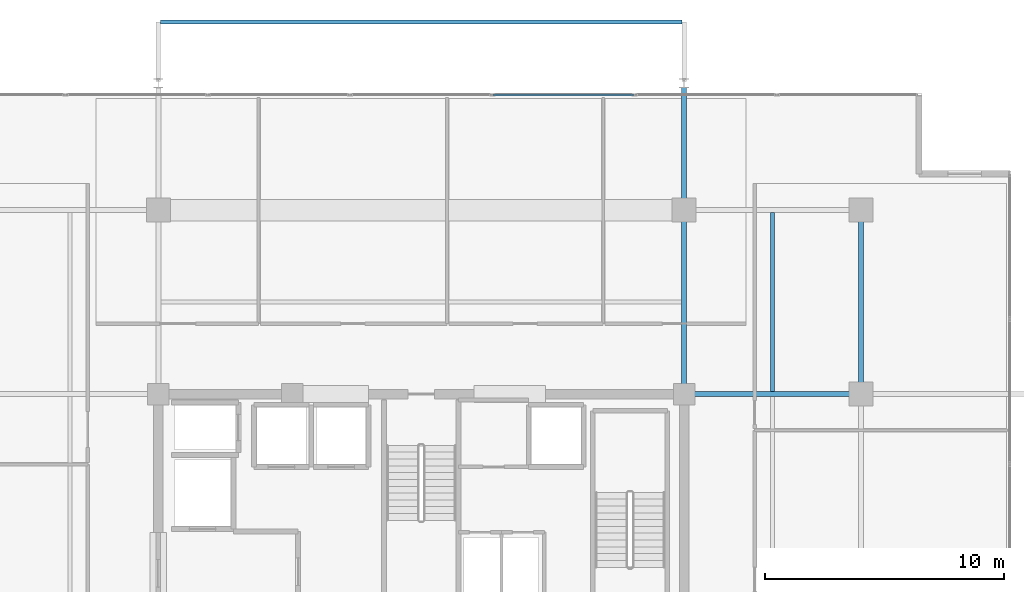
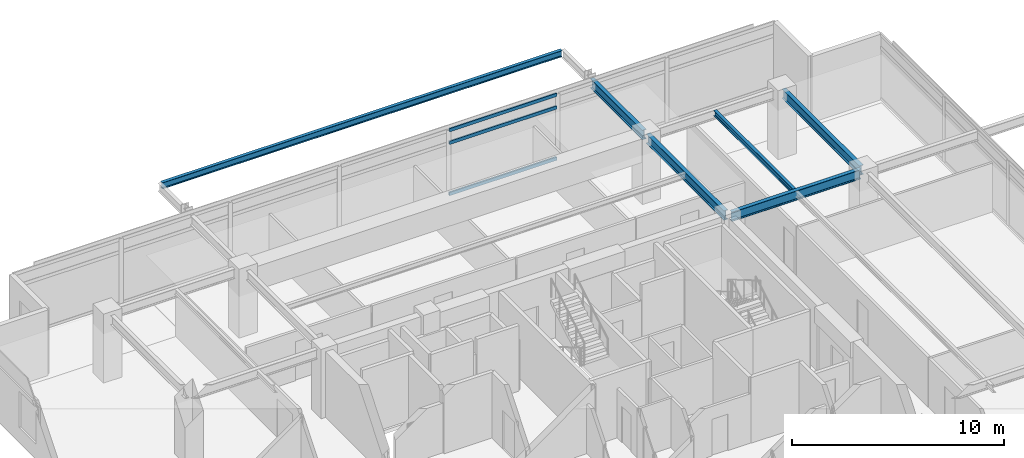
# One storey, part 10 of 21: 6 beams, 3 members, 1 element without a shape of its own.
"""IFC4 building model written with IfcOpenShell, lengths in metres."""

from ifc_helpers import new_model, si_unit, direction, frame, origin, origin_2d, place, context, subcontext, project, spatial, hollow_rectangle, i_section, extrude, material, material_profile, profile_set, type_object, element, aggregate, save


model = new_model("IFC4")

# Units and contexts
model_context = context("Model", 3, precision=1e-05, world=origin(), true_north=direction((0.0, 1.0)))
body_context = subcontext(model_context, "Body", "Model", "MODEL_VIEW")
ifc_project = project(units=[si_unit("LENGTHUNIT", "METRE"), si_unit("AREAUNIT", "SQUARE_METRE"), si_unit("VOLUMEUNIT", "CUBIC_METRE"), si_unit("PLANEANGLEUNIT", "RADIAN"), si_unit("MASSUNIT", "GRAM", prefix="KILO")], contexts=[model_context])

# Site, building, storey
site_placement = place(None, origin())
site = spatial("IfcSite", under=ifc_project, at=site_placement, CompositionType="ELEMENT")
building_placement = place(site_placement, origin())
building = spatial("IfcBuilding", under=site, at=building_placement, Name="Kovane Verandah Tower", CompositionType="ELEMENT")
storey_placement = place(building_placement, frame((0.0, 0.0, 314.800048828125)))
storey = spatial("IfcBuildingStorey", under=building, at=storey_placement, Name="L73", CompositionType="ELEMENT", Elevation=314.800048828125)

# Beams
ifc_material_1 = material(Name="Steel S355", Category="steel")
ifc_material_profile_1 = material_profile(ifc_material_1, i_section(OverallWidth=0.2119140625, OverallDepth=0.54443359375, WebThickness=0.0126953125, FlangeThickness=0.021240234375, FilletRadius=0.0126953125, at=origin_2d()), Name="UB533x210x122")
ifc_profile_set_1 = profile_set([ifc_material_profile_1], Name="Steel S355")
beam_type_1 = type_object("IfcBeamType", Name="BM-UB533x122", PredefinedType="BEAM", material=ifc_profile_set_1)
beam_1_placement = place(storey_placement, frame((58.39990234375, 36.679931640625, 3.5126953125), z_axis=(0.0, 1.0, 0.0), x_axis=(-1.0, 0.0, 0.0)))
element("IfcBeam", 1, at=beam_1_placement, inside=storey, type_object=beam_type_1, Name="L73 Primary Tower Girder G-RE3", PredefinedType="BEAM", context=body_context, shape_type="SweptSolid", body=[
    extrude(i_section(OverallWidth=0.2119140625, OverallDepth=0.54443359375, WebThickness=0.0126953125, FlangeThickness=0.021240234375, FilletRadius=0.0126953125, at=origin_2d()), origin(), (0.0, 0.0, 1.0), 7.340087890625),
])
beam_2_placement = place(storey_placement, frame((51.179931640625, 36.5, 3.5126953125), z_axis=(1.0, 0.0, 0.0), x_axis=(0.0, 1.0, 0.0)))
element("IfcBeam", 2, at=beam_2_placement, inside=storey, type_object=beam_type_1, Name="L73 Primary Tower Girder G-E2", PredefinedType="BEAM", context=body_context, shape_type="SweptSolid", body=[
    extrude(i_section(OverallWidth=0.2119140625, OverallDepth=0.54443359375, WebThickness=0.0126953125, FlangeThickness=0.021240234375, FilletRadius=0.0126953125, at=origin_2d()), origin(), (0.0, 0.0, 1.0), 7.0400390625),
])
beam_3_placement = place(storey_placement, frame((51.0, 36.679931640625, 3.5126953125), z_axis=(0.0, 1.0, 0.0), x_axis=(-1.0, 0.0, 0.0)))
element("IfcBeam", 3, at=beam_3_placement, inside=storey, type_object=beam_type_1, Name="L73 Primary Tower Girder G-N2", PredefinedType="BEAM", context=body_context, shape_type="SweptSolid", body=[
    extrude(i_section(OverallWidth=0.2119140625, OverallDepth=0.54443359375, WebThickness=0.0126953125, FlangeThickness=0.021240234375, FilletRadius=0.0126953125, at=origin_2d()), origin(), (0.0, 0.0, 1.0), 7.340087890625),
])
beam_4_placement = place(storey_placement, frame((51.0, 44.3798828125, 3.48779296875), z_axis=(0.0, 1.0, 0.0), x_axis=(-1.0, 0.0, 0.0)))
element("IfcBeam", 4, at=beam_4_placement, inside=storey, type_object=beam_type_1, Name="L73 Primary Tower Girder G-VN2", PredefinedType="BEAM", context=body_context, shape_type="SweptSolid", body=[
    extrude(i_section(OverallWidth=0.2119140625, OverallDepth=0.54443359375, WebThickness=0.0126953125, FlangeThickness=0.021240234375, FilletRadius=0.0126953125, at=origin_2d()), origin(), (0.0, 0.0, 1.0), 4.940185546875),
])

# Curtain wall, members
ifc_material_2 = material(Name="Champagne Anodised Aluminium Frame with Low-E Clear Laminated Glass", Category="aluminium")
curtain_wall_type = type_object("IfcCurtainWallType", Name="CW-SYS-05-HIGH", PredefinedType="NOTDEFINED", material=ifc_material_2)
curtain_wall_placement = place(storey_placement, origin())
curtain_wall = element("IfcCurtainWall", 5, at=curtain_wall_placement, inside=storey, type_object=curtain_wall_type, Name="L73 N Unitised Curtain Wall", PredefinedType="NOTDEFINED")
ifc_material_3 = material(Name="Champagne Anodised Aluminium 6063-T6", Category="aluminium")
ifc_material_profile_2 = material_profile(ifc_material_3, hollow_rectangle(XDim=0.0849609375, YDim=0.18994140625, WallThickness=0.00390625, at=origin_2d()), Name="AL85x190x4")
ifc_profile_set_2 = profile_set([ifc_material_profile_2], Name="Champagne Anodised Aluminium 6063-T6")
member_type = type_object("IfcMemberType", Name="CW-TRN-85x190", PredefinedType="USERDEFINED", material=ifc_profile_set_2)
member_1_placement = place(storey_placement, frame((48.8798828125, 49.018310546875, 0.050048828125), z_axis=(-1.0, 0.0, 0.0), x_axis=(0.0, -1.0, 0.0)))
member_1 = element("IfcMember", 6, at=member_1_placement, type_object=member_type, Name="L73 N Unitised Curtain Wall Transom TB Bay 3", ObjectType="TRANSOM", PredefinedType="USERDEFINED", context=body_context, shape_type="SweptSolid", body=[
    extrude(hollow_rectangle(XDim=0.0849609375, YDim=0.18994140625, WallThickness=0.00390625, at=origin_2d()), origin(), (0.0, 0.0, 1.0), 5.853271484375),
])
member_2_placement = place(storey_placement, frame((48.8798828125, 49.018310546875, 3.0048828125), z_axis=(-1.0, 0.0, 0.0), x_axis=(0.0, -1.0, 0.0)))
member_2 = element("IfcMember", 7, at=member_2_placement, type_object=member_type, Name="L73 N Unitised Curtain Wall Transom TM Bay 3", ObjectType="TRANSOM", PredefinedType="USERDEFINED", context=body_context, shape_type="SweptSolid", body=[
    extrude(hollow_rectangle(XDim=0.0849609375, YDim=0.18994140625, WallThickness=0.00390625, at=origin_2d()), origin(), (0.0, 0.0, 1.0), 5.853271484375),
])
member_3_placement = place(storey_placement, frame((48.8798828125, 49.018310546875, 3.73486328125), z_axis=(-1.0, 0.0, 0.0), x_axis=(0.0, -1.0, 0.0)))
member_3 = element("IfcMember", 8, at=member_3_placement, type_object=member_type, Name="L73 N Unitised Curtain Wall Transom TT Bay 3", ObjectType="TRANSOM", PredefinedType="USERDEFINED", context=body_context, shape_type="SweptSolid", body=[
    extrude(hollow_rectangle(XDim=0.0849609375, YDim=0.18994140625, WallThickness=0.00390625, at=origin_2d()), origin(), (0.0, 0.0, 1.0), 5.853271484375),
])
aggregate(curtain_wall, [member_1, member_2, member_3])

# Beams
ifc_material_profile_3 = material_profile(ifc_material_1, i_section(OverallWidth=0.1669921875, OverallDepth=0.310302734375, WebThickness=0.0078125, FlangeThickness=0.013671875, FilletRadius=0.0087890625, at=origin_2d()), Name="UB305x165x54")
ifc_profile_set_3 = profile_set([ifc_material_profile_3], Name="Steel S355")
beam_type_2 = type_object("IfcBeamType", Name="JST-UB305x54", PredefinedType="JOIST", material=ifc_profile_set_3)
beam_5_placement = place(storey_placement, frame((54.699951171875, 36.60400390625, 3.629638671875), z_axis=(0.0, 1.0, 0.0), x_axis=(-1.0, 0.0, 0.0)))
element("IfcBeam", 9, at=beam_5_placement, inside=storey, type_object=beam_type_2, Name="L73 Secondary Composite Joist J-NE1", PredefinedType="JOIST", context=body_context, shape_type="SweptSolid", body=[
    extrude(i_section(OverallWidth=0.1669921875, OverallDepth=0.310302734375, WebThickness=0.0078125, FlangeThickness=0.013671875, FilletRadius=0.0087890625, at=origin_2d()), origin(), (0.0, 0.0, 1.0), 7.491943359375),
])
ifc_material_profile_4 = material_profile(ifc_material_1, i_section(OverallWidth=0.173095703125, OverallDepth=0.36328125, WebThickness=0.009033203125, FlangeThickness=0.015625, FilletRadius=0.01025390625, at=origin_2d()), Name="UB356x171x67")
ifc_profile_set_4 = profile_set([ifc_material_profile_4], Name="Steel S355")
beam_type_3 = type_object("IfcBeamType", Name="SPD-UB356x67", PredefinedType="USERDEFINED", material=ifc_profile_set_4)
beam_6_placement = place(storey_placement, frame((29.094482421875, 52.065673828125, 3.578369140625), z_axis=(1.0, 0.0, 0.0), x_axis=(0.0, 1.0, 0.0)))
element("IfcBeam", 10, at=beam_6_placement, inside=storey, type_object=beam_type_3, Name="L73 North Planter Edge Spandrel", ObjectType="SPANDREL", PredefinedType="USERDEFINED", context=body_context, shape_type="SweptSolid", body=[
    extrude(i_section(OverallWidth=0.173095703125, OverallDepth=0.36328125, WebThickness=0.009033203125, FlangeThickness=0.015625, FilletRadius=0.01025390625, at=origin_2d()), origin(), (0.0, 0.0, 1.0), 21.81103515625),
])

save(model, "model.ifc")
